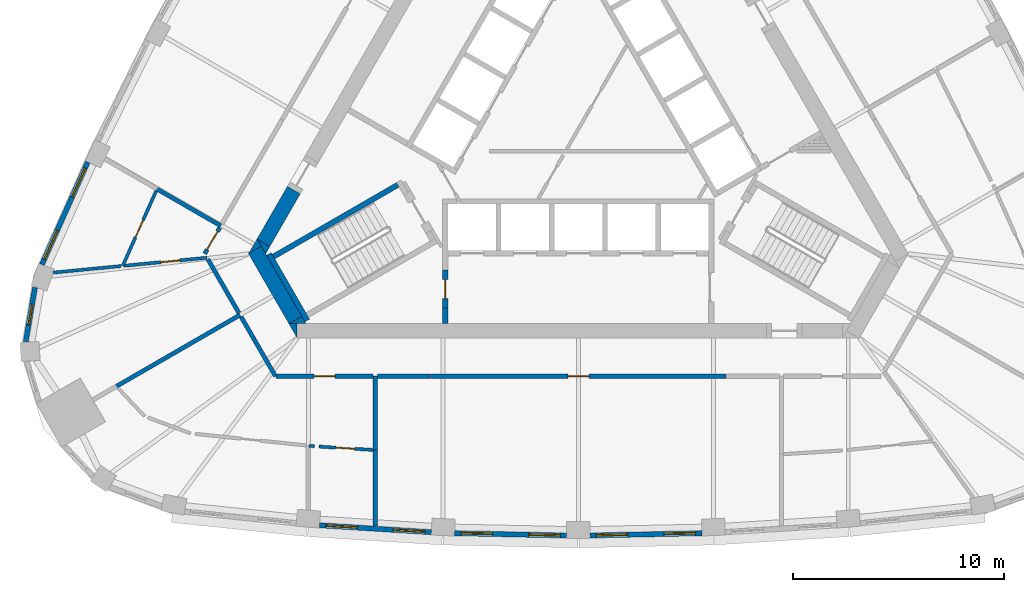
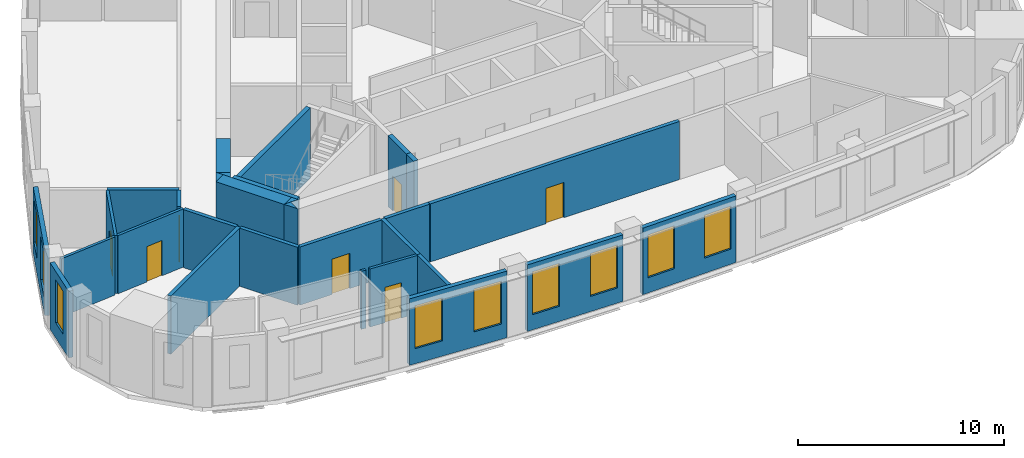
# One storey, part 3 of 10: 30 walls, 9 windows, 7 doors, 16 openings.
"""IFC4 building model written with IfcOpenShell, lengths in metres."""

from ifc_helpers import new_model, si_unit, direction, frame, frame_2d, origin, place, context, subcontext, project, spatial, polyline, rectangle, outline, extrude, material, layer, layer_set, type_object, element, fill, save


model = new_model("IFC4")

# Units and contexts
model_context = context("Model", 3, precision=1e-05, world=origin(), true_north=direction((0.0, 1.0)))
body_context = subcontext(model_context, "Body", "Model", "MODEL_VIEW")
ifc_project = project(units=[si_unit("LENGTHUNIT", "METRE"), si_unit("AREAUNIT", "SQUARE_METRE"), si_unit("VOLUMEUNIT", "CUBIC_METRE"), si_unit("PLANEANGLEUNIT", "RADIAN"), si_unit("MASSUNIT", "GRAM", prefix="KILO")], contexts=[model_context])

# Site, building, storey
site_placement = place(None, origin())
site = spatial("IfcSite", under=ifc_project, at=site_placement, CompositionType="ELEMENT")
building_placement = place(site_placement, origin())
building = spatial("IfcBuilding", under=site, at=building_placement, Name="Mestral Congress Tower", CompositionType="ELEMENT")
storey_placement = place(building_placement, frame((0.0, 0.0, 247.800048828125)))
storey = spatial("IfcBuildingStorey", under=building, at=storey_placement, Name="L58", CompositionType="ELEMENT", Elevation=247.800048828125)

# Walls
ifc_material_1 = material(Name="Concrete C60/75", Category="concrete")
ifc_layer_1 = layer(ifc_material_1, 0.699951171875)
ifc_layer_set_1 = layer_set([ifc_layer_1], Name="Concrete C60/75")
wall_type_1 = type_object("IfcWallType", Name="Core wall RC 700", PredefinedType="SOLIDWALL", material=ifc_layer_set_1)
placement = place(storey_placement, origin())
element("IfcWall", 1, at=placement, inside=storey, type_object=wall_type_1, Name="L58 core wall", PredefinedType="SOLIDWALL", context=body_context, shape_type="SweptSolid", body=[
    extrude(outline(polyline([(-13.7119140625, -9.64990234375), (-13.323974609375, -9.64990234375), (-13.323974609375, -10.322021484375), (-13.7119140625, -9.64990234375)])), origin(), (0.0, 0.0, 1.0), 4.199951171875),
])
wall_2_placement = place(storey_placement, frame((-13.40185546875, -9.4873046875, 0.0), z_axis=(0.0, 0.0, 1.0), x_axis=(-0.500020498207, 0.866013568815, 0.0)))
element("IfcWall", 2, at=wall_2_placement, inside=storey, type_object=wall_type_1, Name="L58 core wall", PredefinedType="SOLIDWALL", context=body_context, shape_type="SweptSolid", body=[
    extrude(rectangle(XDim=3.828857421875, YDim=0.699951171875, at=frame_2d((1.91455078125, 0.0))), origin(), (0.0, 0.0, 1.0), 4.199951171875),
])
element("IfcWall", 3, at=placement, inside=storey, type_object=wall_type_1, Name="L58 core wall", PredefinedType="SOLIDWALL", context=body_context, shape_type="SweptSolid", body=[
    extrude(outline(polyline([(-15.01416015625, -5.99462890625), (-15.611083984375, -6.33935546875), (-15.213134765625, -5.64990234375), (-15.01416015625, -5.99462890625)])), origin(), (0.0, 0.0, 1.0), 4.199951171875),
])
element("IfcWall", 4, at=placement, inside=storey, type_object=wall_type_1, Name="L58 core wall", PredefinedType="SOLIDWALL", context=body_context, shape_type="SweptSolid", body=[
    extrude(outline(polyline([(-12.90380859375, -9.64990234375), (-13.6796875, -9.64990234375), (-13.097900390625, -9.31396484375), (-12.90380859375, -9.64990234375)])), origin(), (0.0, 0.0, 1.0), 4.199951171875),
])
wall_5_placement = place(storey_placement, frame((-13.474853515625, -3.33935546875, 0.0), z_axis=(0.0, 0.0, 1.0), x_axis=(-0.500008214683, -0.866020660983, 0.0)))
element("IfcWall", 5, at=wall_5_placement, inside=storey, type_object=wall_type_1, Name="L58 core wall", PredefinedType="SOLIDWALL", context=body_context, shape_type="SweptSolid", body=[
    extrude(rectangle(XDim=2.88427734375, YDim=0.699951171875, at=frame_2d((1.442138671875, 0.0))), origin(), (0.0, 0.0, 1.0), 4.199951171875),
])
element("IfcWall", 6, at=placement, inside=storey, type_object=wall_type_1, Name="L58 core wall", PredefinedType="SOLIDWALL", context=body_context, shape_type="SweptSolid", body=[
    extrude(outline(polyline([(-14.80908203125, -6.35009765625), (-15.197021484375, -5.677978515625), (-14.614990234375, -6.013916015625), (-14.80908203125, -6.35009765625)])), origin(), (0.0, 0.0, 1.0), 4.199951171875),
])

# Wall, openings, windows
ifc_material_2 = material(Name="Precast concrete C40/50 with limestone facing", Category="masonry")
ifc_layer_2 = layer(ifc_material_2, 0.239990234375)
ifc_layer_set_2 = layer_set([ifc_layer_2], Name="Precast concrete C40/50 with limestone facing")
wall_type_2 = type_object("IfcWallType", Name="Facade stone wall 240", PredefinedType="SOLIDWALL", material=ifc_layer_set_2)
wall_7_placement = place(storey_placement, frame((-12.253173828125, -19.21337890625, 0.0), z_axis=(0.0, 0.0, 1.0), x_axis=(0.9980633213, -0.062206162685, 0.0)))
wall_7 = element("IfcWall", 7, at=wall_7_placement, inside=storey, type_object=wall_type_2, Name="Facade wall F0-01", PredefinedType="SOLIDWALL", context=body_context, shape_type="SweptSolid", body=[
    extrude(rectangle(XDim=5.29833984375, YDim=0.239990234375, at=frame_2d((2.649169921875, 0.0))), origin(), (0.0, 0.0, 1.0), 3.949951171875),
])
opening_1_placement = place(wall_7_placement, frame((0.29443359375, 0.0, 0.89990234375)))
opening_1 = element("IfcOpeningElement", 8, at=opening_1_placement, cuts=wall_7, Name="Opening W4", PredefinedType="OPENING", context=body_context, shape_type="SweptSolid", body=[
    extrude(rectangle(XDim=1.5, YDim=2.550048828125, at=frame_2d((0.75, 1.27490234375))), frame((0.0, 0.1298828125, 0.0), z_axis=(0.0, -1.0, 0.0), x_axis=(1.0, 0.0, 0.0)), (0.0, 0.0, 1.0), 0.260009765625),
])
opening_2_placement = place(wall_7_placement, frame((3.503662109375, 0.0, 0.89990234375)))
opening_2 = element("IfcOpeningElement", 9, at=opening_2_placement, cuts=wall_7, Name="Opening W4", PredefinedType="OPENING", context=body_context, shape_type="SweptSolid", body=[
    extrude(rectangle(XDim=1.5, YDim=2.550048828125, at=frame_2d((0.75, 1.27490234375))), frame((0.0, 0.1298828125, 0.0), z_axis=(0.0, -1.0, 0.0), x_axis=(1.0, 0.0, 0.0)), (0.0, 0.0, 1.0), 0.260009765625),
])
ifc_material_3 = material(Name="Clear low-emissivity double glazing", Category="glass")
window_type_1 = type_object("IfcWindowType", Name="Facade punched window 1500 x 2550 sill 900", PartitioningType="SINGLE_PANEL", PredefinedType="WINDOW", material=ifc_material_3)
window_1_placement = place(opening_1_placement, origin())
window_1 = element("IfcWindow", 10, at=window_1_placement, inside=storey, type_object=window_type_1, Name="Window F0-01a", OverallHeight=2.550048828125, OverallWidth=1.5, PartitioningType="SINGLE_PANEL", PredefinedType="WINDOW", context=body_context, shape_type="SweptSolid", body=[
    extrude(rectangle(XDim=1.5, YDim=2.550048828125, at=frame_2d((0.75, 1.27490234375))), frame((0.0, 0.0400390625, 0.0), z_axis=(0.0, -1.0, 0.0), x_axis=(1.0, 0.0, 0.0)), (0.0, 0.0, 1.0), 0.06005859375),
])
fill(opening_1, window_1)
window_2_placement = place(opening_2_placement, origin())
window_2 = element("IfcWindow", 11, at=window_2_placement, inside=storey, type_object=window_type_1, Name="Window F0-01b", OverallHeight=2.550048828125, OverallWidth=1.5, PartitioningType="SINGLE_PANEL", PredefinedType="WINDOW", context=body_context, shape_type="SweptSolid", body=[
    extrude(rectangle(XDim=1.5, YDim=2.550048828125, at=frame_2d((0.75, 1.27490234375))), frame((0.0, 0.0400390625, 0.0), z_axis=(0.0, -1.0, 0.0), x_axis=(1.0, 0.0, 0.0)), (0.0, 0.0, 1.0), 0.06005859375),
])
fill(opening_2, window_2)

wall_8_placement = place(storey_placement, frame((-5.853515625, -19.589111328125, 0.0), z_axis=(0.0, 0.0, 1.0), x_axis=(0.999784035184, -0.020781794712, 0.0)))
wall_8 = element("IfcWall", 12, at=wall_8_placement, inside=storey, type_object=wall_type_2, Name="Facade wall F0-02", PredefinedType="SOLIDWALL", context=body_context, shape_type="SweptSolid", body=[
    extrude(rectangle(XDim=5.29833984375, YDim=0.239990234375, at=frame_2d((2.649169921875, 0.0))), origin(), (0.0, 0.0, 1.0), 3.949951171875),
])
opening_3_placement = place(wall_8_placement, frame((0.29443359375, 0.0, 0.89990234375)))
opening_3 = element("IfcOpeningElement", 13, at=opening_3_placement, cuts=wall_8, Name="Opening W4", PredefinedType="OPENING", context=body_context, shape_type="SweptSolid", body=[
    extrude(rectangle(XDim=1.5, YDim=2.550048828125, at=frame_2d((0.75, 1.27490234375))), frame((0.0, 0.1298828125, 0.0), z_axis=(0.0, -1.0, 0.0), x_axis=(1.0, 0.0, 0.0)), (0.0, 0.0, 1.0), 0.260009765625),
])
opening_4_placement = place(wall_8_placement, frame((3.503662109375, 0.0, 0.89990234375)))
opening_4 = element("IfcOpeningElement", 14, at=opening_4_placement, cuts=wall_8, Name="Opening W4", PredefinedType="OPENING", context=body_context, shape_type="SweptSolid", body=[
    extrude(rectangle(XDim=1.5, YDim=2.550048828125, at=frame_2d((0.75, 1.27490234375))), frame((0.0, 0.1298828125, 0.0), z_axis=(0.0, -1.0, 0.0), x_axis=(1.0, 0.0, 0.0)), (0.0, 0.0, 1.0), 0.260009765625),
])
window_3_placement = place(opening_3_placement, origin())
window_3 = element("IfcWindow", 15, at=window_3_placement, inside=storey, type_object=window_type_1, Name="Window F0-02a", OverallHeight=2.550048828125, OverallWidth=1.5, PartitioningType="SINGLE_PANEL", PredefinedType="WINDOW", context=body_context, shape_type="SweptSolid", body=[
    extrude(rectangle(XDim=1.5, YDim=2.550048828125, at=frame_2d((0.75, 1.27490234375))), frame((0.0, 0.0400390625, 0.0), z_axis=(0.0, -1.0, 0.0), x_axis=(1.0, 0.0, 0.0)), (0.0, 0.0, 1.0), 0.06005859375),
])
fill(opening_3, window_3)
window_4_placement = place(opening_4_placement, origin())
window_4 = element("IfcWindow", 16, at=window_4_placement, inside=storey, type_object=window_type_1, Name="Window F0-02b", OverallHeight=2.550048828125, OverallWidth=1.5, PartitioningType="SINGLE_PANEL", PredefinedType="WINDOW", context=body_context, shape_type="SweptSolid", body=[
    extrude(rectangle(XDim=1.5, YDim=2.550048828125, at=frame_2d((0.75, 1.27490234375))), frame((0.0, 0.0400390625, 0.0), z_axis=(0.0, -1.0, 0.0), x_axis=(1.0, 0.0, 0.0)), (0.0, 0.0, 1.0), 0.06005859375),
])
fill(opening_4, window_4)

wall_9_placement = place(storey_placement, frame((0.556396484375, -19.69921875, 0.0), z_axis=(0.0, 0.0, 1.0), x_axis=(0.999784035184, 0.020781794712, 0.0)))
wall_9 = element("IfcWall", 17, at=wall_9_placement, inside=storey, type_object=wall_type_2, Name="Facade wall F0-03", PredefinedType="SOLIDWALL", context=body_context, shape_type="SweptSolid", body=[
    extrude(rectangle(XDim=5.29833984375, YDim=0.239990234375, at=frame_2d((2.649169921875, 0.0))), origin(), (0.0, 0.0, 1.0), 3.949951171875),
])
opening_5_placement = place(wall_9_placement, frame((0.29443359375, 0.0, 0.89990234375)))
opening_5 = element("IfcOpeningElement", 18, at=opening_5_placement, cuts=wall_9, Name="Opening W4", PredefinedType="OPENING", context=body_context, shape_type="SweptSolid", body=[
    extrude(rectangle(XDim=1.5, YDim=2.550048828125, at=frame_2d((0.75, 1.27490234375))), frame((0.0, 0.1298828125, 0.0), z_axis=(0.0, -1.0, 0.0), x_axis=(1.0, 0.0, 0.0)), (0.0, 0.0, 1.0), 0.260009765625),
])
opening_6_placement = place(wall_9_placement, frame((3.503662109375, 0.0, 0.89990234375)))
opening_6 = element("IfcOpeningElement", 19, at=opening_6_placement, cuts=wall_9, Name="Opening W4", PredefinedType="OPENING", context=body_context, shape_type="SweptSolid", body=[
    extrude(rectangle(XDim=1.5, YDim=2.550048828125, at=frame_2d((0.75, 1.27490234375))), frame((0.0, 0.1298828125, 0.0), z_axis=(0.0, -1.0, 0.0), x_axis=(1.0, 0.0, 0.0)), (0.0, 0.0, 1.0), 0.260009765625),
])
window_5_placement = place(opening_5_placement, origin())
window_5 = element("IfcWindow", 20, at=window_5_placement, inside=storey, type_object=window_type_1, Name="Window F0-03a", OverallHeight=2.550048828125, OverallWidth=1.5, PartitioningType="SINGLE_PANEL", PredefinedType="WINDOW", context=body_context, shape_type="SweptSolid", body=[
    extrude(rectangle(XDim=1.5, YDim=2.550048828125, at=frame_2d((0.75, 1.27490234375))), frame((0.0, 0.0400390625, 0.0), z_axis=(0.0, -1.0, 0.0), x_axis=(1.0, 0.0, 0.0)), (0.0, 0.0, 1.0), 0.06005859375),
])
fill(opening_5, window_5)
window_6_placement = place(opening_6_placement, origin())
window_6 = element("IfcWindow", 21, at=window_6_placement, inside=storey, type_object=window_type_1, Name="Window F0-03b", OverallHeight=2.550048828125, OverallWidth=1.5, PartitioningType="SINGLE_PANEL", PredefinedType="WINDOW", context=body_context, shape_type="SweptSolid", body=[
    extrude(rectangle(XDim=1.5, YDim=2.550048828125, at=frame_2d((0.75, 1.27490234375))), frame((0.0, 0.0400390625, 0.0), z_axis=(0.0, -1.0, 0.0), x_axis=(1.0, 0.0, 0.0)), (0.0, 0.0, 1.0), 0.06005859375),
])
fill(opening_6, window_6)

wall_10_placement = place(storey_placement, frame((-23.240478515625, -2.01123046875, 0.0), z_axis=(0.0, 0.0, 1.0), x_axis=(-0.407579651789, -0.913169659728, 0.0)))
wall_10 = element("IfcWall", 22, at=wall_10_placement, inside=storey, type_object=wall_type_2, Name="Facade wall F2-05", PredefinedType="SOLIDWALL", context=body_context, shape_type="SweptSolid", body=[
    extrude(rectangle(XDim=5.310791015625, YDim=0.239990234375, at=frame_2d((2.6552734375, 0.0))), origin(), (0.0, 0.0, 1.0), 3.949951171875),
])
opening_7_placement = place(wall_10_placement, frame((0.306396484375, 0.0, 0.89990234375)))
opening_7 = element("IfcOpeningElement", 23, at=opening_7_placement, cuts=wall_10, Name="Opening W4", PredefinedType="OPENING", context=body_context, shape_type="SweptSolid", body=[
    extrude(rectangle(XDim=1.5, YDim=2.550048828125, at=frame_2d((0.75, 1.27490234375))), frame((0.0, 0.1298828125, 0.0), z_axis=(0.0, -1.0, 0.0), x_axis=(1.0, 0.0, 0.0)), (0.0, 0.0, 1.0), 0.260009765625),
])
opening_8_placement = place(wall_10_placement, frame((3.539306640625, 0.0, 0.89990234375)))
opening_8 = element("IfcOpeningElement", 24, at=opening_8_placement, cuts=wall_10, Name="Opening W4", PredefinedType="OPENING", context=body_context, shape_type="SweptSolid", body=[
    extrude(rectangle(XDim=1.5, YDim=2.550048828125, at=frame_2d((0.75, 1.27490234375))), frame((0.0, 0.1298828125, 0.0), z_axis=(0.0, -1.0, 0.0), x_axis=(1.0, 0.0, 0.0)), (0.0, 0.0, 1.0), 0.260009765625),
])
window_7_placement = place(opening_7_placement, origin())
window_7 = element("IfcWindow", 25, at=window_7_placement, inside=storey, type_object=window_type_1, Name="Window F2-05a", OverallHeight=2.550048828125, OverallWidth=1.5, PartitioningType="SINGLE_PANEL", PredefinedType="WINDOW", context=body_context, shape_type="SweptSolid", body=[
    extrude(rectangle(XDim=1.5, YDim=2.550048828125, at=frame_2d((0.75, 1.27490234375))), frame((0.0, 0.0400390625, 0.0), z_axis=(0.0, -1.0, 0.0), x_axis=(1.0, 0.0, 0.0)), (0.0, 0.0, 1.0), 0.06005859375),
])
fill(opening_7, window_7)
window_8_placement = place(opening_8_placement, origin())
window_8 = element("IfcWindow", 26, at=window_8_placement, inside=storey, type_object=window_type_1, Name="Window F2-05b", OverallHeight=2.550048828125, OverallWidth=1.5, PartitioningType="SINGLE_PANEL", PredefinedType="WINDOW", context=body_context, shape_type="SweptSolid", body=[
    extrude(rectangle(XDim=1.5, YDim=2.550048828125, at=frame_2d((0.75, 1.27490234375))), frame((0.0, 0.0400390625, 0.0), z_axis=(0.0, -1.0, 0.0), x_axis=(1.0, 0.0, 0.0)), (0.0, 0.0, 1.0), 0.06005859375),
])
fill(opening_8, window_8)

# Wall, opening, window
wall_11_placement = place(storey_placement, frame((-25.734130859375, -7.94482421875, 0.0), z_axis=(0.0, 0.0, 1.0), x_axis=(-0.167660055546, -0.985844869021, 0.0)))
wall_11 = element("IfcWall", 27, at=wall_11_placement, inside=storey, type_object=wall_type_2, Name="Facade wall K2-0", PredefinedType="SOLIDWALL", context=body_context, shape_type="SweptSolid", body=[
    extrude(rectangle(XDim=2.609375, YDim=0.239990234375, at=frame_2d((1.3046875, 0.0))), origin(), (0.0, 0.0, 1.0), 3.949951171875),
])
opening_9_placement = place(wall_11_placement, frame((0.8046875, 0.0, 0.89990234375)))
opening_9 = element("IfcOpeningElement", 28, at=opening_9_placement, cuts=wall_11, Name="Opening W5", PredefinedType="OPENING", context=body_context, shape_type="SweptSolid", body=[
    extrude(rectangle(XDim=1.0, YDim=2.550048828125, at=frame_2d((0.5, 1.27490234375))), frame((0.0, 0.1298828125, 0.0), z_axis=(0.0, -1.0, 0.0), x_axis=(1.0, 0.0, 0.0)), (0.0, 0.0, 1.0), 0.260009765625),
])
window_type_2 = type_object("IfcWindowType", Name="Facade punched window 1000 x 2550 sill 900", PartitioningType="SINGLE_PANEL", PredefinedType="WINDOW", material=ifc_material_3)
window_9_placement = place(opening_9_placement, origin())
window_9 = element("IfcWindow", 29, at=window_9_placement, inside=storey, type_object=window_type_2, Name="Window K2-0", OverallHeight=2.550048828125, OverallWidth=1.0, PartitioningType="SINGLE_PANEL", PredefinedType="WINDOW", context=body_context, shape_type="SweptSolid", body=[
    extrude(rectangle(XDim=1.0, YDim=2.550048828125, at=frame_2d((0.5, 1.27490234375))), frame((0.0, 0.0400390625, 0.0), z_axis=(0.0, -1.0, 0.0), x_axis=(1.0, 0.0, 0.0)), (0.0, 0.0, 1.0), 0.06005859375),
])
fill(opening_9, window_9)

# Wall, opening, door
ifc_material_4 = material(Name="Plasterboard partition on steel studs", Category="steel")
ifc_layer_3 = layer(ifc_material_4, 0.14990234375)
ifc_layer_set_3 = layer_set([ifc_layer_3], Name="Plasterboard partition on steel studs")
wall_type_3 = type_object("IfcWallType", Name="Office partition 150", PredefinedType="PARTITIONING", material=ifc_layer_set_3)
wall_12_placement = place(storey_placement, frame((-21.57958984375, -6.926513671875, 0.0), z_axis=(0.0, 0.0, 1.0), x_axis=(0.407612492408, 0.913155001099, 0.0)))
wall_12 = element("IfcWall", 30, at=wall_12_placement, inside=storey, type_object=wall_type_3, Name="Partition", PredefinedType="PARTITIONING", context=body_context, shape_type="SweptSolid", body=[
    extrude(rectangle(XDim=3.88671875, YDim=0.14990234375, at=frame_2d((1.943359375, 0.0))), origin(), (0.0, 0.0, 1.0), 3.449951171875),
])
opening_10_placement = place(wall_12_placement, frame((1.486572265625, 0.0, 0.0)))
opening_10 = element("IfcOpeningElement", 31, at=opening_10_placement, cuts=wall_12, Name="Opening O09-016", PredefinedType="OPENING", context=body_context, shape_type="SweptSolid", body=[
    extrude(rectangle(XDim=0.89990234375, YDim=2.10009765625, at=frame_2d((0.449951171875, 1.050048828125))), frame((0.0, 0.0849609375, 0.0), z_axis=(0.0, -1.0, 0.0), x_axis=(1.0, 0.0, 0.0)), (0.0, 0.0, 1.0), 0.169921875),
])
ifc_material_5 = material(Name="Timber door set", Category="wood")
door_type_1 = type_object("IfcDoorType", Name="Office door 900x2100", OperationType="SINGLE_SWING_LEFT", PredefinedType="DOOR", material=ifc_material_5)
door_1_placement = place(opening_10_placement, origin())
door_1 = element("IfcDoor", 32, at=door_1_placement, inside=storey, type_object=door_type_1, Name="Door O09-016", OperationType="SINGLE_SWING_LEFT", OverallHeight=2.10009765625, OverallWidth=0.89990234375, PredefinedType="DOOR", context=body_context, shape_type="SweptSolid", body=[
    extrude(rectangle(XDim=0.89990234375, YDim=2.10009765625, at=frame_2d((0.449951171875, 1.050048828125))), frame((0.0, 0.02490234375, 0.0), z_axis=(0.0, -1.0, 0.0), x_axis=(1.0, 0.0, 0.0)), (0.0, 0.0, 1.0), 0.050048828125),
])
fill(opening_10, door_1)

# Wall
wall_13_placement = place(storey_placement, frame((-21.66552734375, -6.934814453125, 0.0), z_axis=(0.0, 0.0, 1.0), x_axis=(-0.995359155707, -0.096229679155, 0.0)))
element("IfcWall", 33, at=wall_13_placement, inside=storey, type_object=wall_type_3, Name="Partition", PredefinedType="PARTITIONING", context=body_context, shape_type="SweptSolid", body=[
    extrude(rectangle(XDim=3.219482421875, YDim=0.14990234375, at=frame_2d((1.60986328125, 0.0))), origin(), (0.0, 0.0, 1.0), 3.449951171875),
])

# Wall, opening, door
wall_14_placement = place(storey_placement, frame((-17.5859375, -6.540283203125, 0.0), z_axis=(0.0, 0.0, 1.0), x_axis=(-0.995356357863, -0.096258614479, 0.0)))
wall_14 = element("IfcWall", 34, at=wall_14_placement, inside=storey, type_object=wall_type_3, Name="Partition", PredefinedType="PARTITIONING", context=body_context, shape_type="SweptSolid", body=[
    extrude(rectangle(XDim=3.92626953125, YDim=0.14990234375, at=frame_2d((1.963134765625, 0.0))), origin(), (0.0, 0.0, 1.0), 3.449951171875),
])
opening_11_placement = place(wall_14_placement, frame((1.300048828125, 0.0, 0.0)))
opening_11 = element("IfcOpeningElement", 35, at=opening_11_placement, cuts=wall_14, Name="Opening O09-018", PredefinedType="OPENING", context=body_context, shape_type="SweptSolid", body=[
    extrude(rectangle(XDim=0.89990234375, YDim=2.10009765625, at=frame_2d((0.449951171875, 1.050048828125))), frame((0.0, 0.0849609375, 0.0), z_axis=(0.0, -1.0, 0.0), x_axis=(1.0, 0.0, 0.0)), (0.0, 0.0, 1.0), 0.169921875),
])
door_2_placement = place(opening_11_placement, origin())
door_2 = element("IfcDoor", 36, at=door_2_placement, inside=storey, type_object=door_type_1, Name="Door O09-018", OperationType="SINGLE_SWING_LEFT", OverallHeight=2.10009765625, OverallWidth=0.89990234375, PredefinedType="DOOR", context=body_context, shape_type="SweptSolid", body=[
    extrude(rectangle(XDim=0.89990234375, YDim=2.10009765625, at=frame_2d((0.449951171875, 1.050048828125))), frame((0.0, 0.02490234375, 0.0), z_axis=(0.0, -1.0, 0.0), x_axis=(1.0, 0.0, 0.0)), (0.0, 0.0, 1.0), 0.050048828125),
])
fill(opening_11, door_2)

# Wall
wall_15_placement = place(storey_placement, frame((-12.74755859375, -15.445068359375, 0.0), z_axis=(0.0, 0.0, 1.0), x_axis=(0.99468140225, -0.102999553487, 0.0)))
element("IfcWall", 37, at=wall_15_placement, inside=storey, type_object=wall_type_3, Name="Partition", PredefinedType="PARTITIONING", context=body_context, shape_type="SweptSolid", body=[
    extrude(rectangle(XDim=0.248779296875, YDim=0.14990234375, at=frame_2d((0.12451171875, 0.0))), origin(), (0.0, 0.0, 1.0), 3.449951171875),
])

# Wall, opening, door
wall_16_placement = place(storey_placement, frame((-9.7197265625, -15.64404296875, 0.0), z_axis=(0.0, 0.0, 1.0), x_axis=(-0.998064382534, 0.062189133425, 0.0)))
wall_16 = element("IfcWall", 38, at=wall_16_placement, inside=storey, type_object=wall_type_3, Name="Partition", PredefinedType="PARTITIONING", context=body_context, shape_type="SweptSolid", body=[
    extrude(rectangle(XDim=2.5712890625, YDim=0.14990234375, at=frame_2d((1.28564453125, 0.0))), origin(), (0.0, 0.0, 1.0), 3.449951171875),
])
opening_12_placement = place(wall_16_placement, frame((0.871337890625, 0.0, 0.0)))
opening_12 = element("IfcOpeningElement", 39, at=opening_12_placement, cuts=wall_16, Name="Opening O09-020", PredefinedType="OPENING", context=body_context, shape_type="SweptSolid", body=[
    extrude(rectangle(XDim=0.89990234375, YDim=2.10009765625, at=frame_2d((0.449951171875, 1.050048828125))), frame((0.0, 0.0849609375, 0.0), z_axis=(0.0, -1.0, 0.0), x_axis=(1.0, 0.0, 0.0)), (0.0, 0.0, 1.0), 0.169921875),
])
door_3_placement = place(opening_12_placement, origin())
door_3 = element("IfcDoor", 40, at=door_3_placement, inside=storey, type_object=door_type_1, Name="Door O09-020", OperationType="SINGLE_SWING_RIGHT", OverallHeight=2.10009765625, OverallWidth=0.89990234375, PredefinedType="DOOR", context=body_context, shape_type="SweptSolid", body=[
    extrude(rectangle(XDim=0.89990234375, YDim=2.10009765625, at=frame_2d((0.449951171875, 1.050048828125))), frame((0.0, 0.02490234375, 0.0), z_axis=(0.0, -1.0, 0.0), x_axis=(1.0, 0.0, 0.0)), (0.0, 0.0, 1.0), 0.050048828125),
])
fill(opening_12, door_3)

# Walls
ifc_material_6 = material(Name="Dense masonry wall, plastered", Category="masonry")
ifc_layer_4 = layer(ifc_material_6, 0.199951171875)
ifc_layer_set_4 = layer_set([ifc_layer_4], Name="Dense masonry wall, plastered")
wall_type_4 = type_object("IfcWallType", Name="Office tenancy wall 200", PredefinedType="PARTITIONING", material=ifc_layer_set_4)
wall_17_placement = place(storey_placement, frame((-9.61962890625, -19.25732421875, 0.0), z_axis=(0.0, 0.0, 1.0), x_axis=(0.0, 1.0, 0.0)))
element("IfcWall", 41, at=wall_17_placement, inside=storey, type_object=wall_type_4, Name="Tenancy wall", PredefinedType="PARTITIONING", context=body_context, shape_type="SweptSolid", body=[
    extrude(rectangle(XDim=3.611083984375, YDim=0.199951171875, at=frame_2d((1.8056640625, 0.0))), origin(), (0.0, 0.0, 1.0), 3.449951171875),
])
wall_18_placement = place(storey_placement, frame((-9.61962890625, -15.654296875, 0.0), z_axis=(0.0, 0.0, 1.0), x_axis=(0.0, 1.0, 0.0)))
element("IfcWall", 42, at=wall_18_placement, inside=storey, type_object=wall_type_4, Name="Tenancy wall", PredefinedType="PARTITIONING", context=body_context, shape_type="SweptSolid", body=[
    extrude(rectangle(XDim=3.50439453125, YDim=0.199951171875, at=frame_2d((1.752197265625, 0.0))), origin(), (0.0, 0.0, 1.0), 3.449951171875),
])

# Wall, opening, door
wall_19_placement = place(storey_placement, frame((-7.0, -12.14990234375, 0.0), z_axis=(0.0, 0.0, 1.0), x_axis=(1.0, 0.0, 0.0)))
wall_19 = element("IfcWall", 43, at=wall_19_placement, inside=storey, type_object=wall_type_4, Name="Tenancy wall", PredefinedType="PARTITIONING", context=body_context, shape_type="SweptSolid", body=[
    extrude(rectangle(XDim=14.0, YDim=0.199951171875, at=frame_2d((7.0, 0.0))), origin(), (0.0, 0.0, 1.0), 3.449951171875),
])
opening_13_placement = place(wall_19_placement, frame((6.5, 0.0, 0.0)))
opening_13 = element("IfcOpeningElement", 44, at=opening_13_placement, cuts=wall_19, Name="Opening O09-001", PredefinedType="OPENING", context=body_context, shape_type="SweptSolid", body=[
    extrude(rectangle(XDim=1.0, YDim=2.10009765625, at=frame_2d((0.5, 1.050048828125))), frame((0.0, 0.10986328125, 0.0), z_axis=(0.0, -1.0, 0.0), x_axis=(1.0, 0.0, 0.0)), (0.0, 0.0, 1.0), 0.219970703125),
])
ifc_material_7 = material(Name="Fire-rated timber door set", Category="wood")
door_type_2 = type_object("IfcDoorType", Name="Office tenancy entrance door 1000x2100", OperationType="SINGLE_SWING_LEFT", PredefinedType="DOOR", material=ifc_material_7)
door_4_placement = place(opening_13_placement, origin())
door_4 = element("IfcDoor", 45, at=door_4_placement, inside=storey, type_object=door_type_2, Name="Door O09-001", OperationType="SINGLE_SWING_RIGHT", OverallHeight=2.10009765625, OverallWidth=1.0, PredefinedType="DOOR", context=body_context, shape_type="SweptSolid", body=[
    extrude(rectangle(XDim=1.0, YDim=2.10009765625, at=frame_2d((0.5, 1.050048828125))), frame((0.0, 0.02490234375, 0.0), z_axis=(0.0, -1.0, 0.0), x_axis=(1.0, 0.0, 0.0)), (0.0, 0.0, 1.0), 0.050048828125),
])
fill(opening_13, door_4)

# Walls
wall_20_placement = place(storey_placement, frame((-9.519775390625, -12.14990234375, 0.0), z_axis=(0.0, 0.0, 1.0), x_axis=(1.0, 0.0, 0.0)))
element("IfcWall", 46, at=wall_20_placement, inside=storey, type_object=wall_type_4, Name="Tenancy wall", PredefinedType="PARTITIONING", context=body_context, shape_type="SweptSolid", body=[
    extrude(rectangle(XDim=2.48974609375, YDim=0.199951171875, at=frame_2d((1.244873046875, 0.0))), origin(), (0.0, 0.0, 1.0), 3.449951171875),
])
wall_21_placement = place(storey_placement, frame((-16.93359375, -5.02978515625, 0.0), z_axis=(0.0, 0.0, 1.0), x_axis=(-0.866031916153, 0.499988720078, 0.0)))
element("IfcWall", 47, at=wall_21_placement, inside=storey, type_object=wall_type_4, Name="Tenancy wall", PredefinedType="PARTITIONING", context=body_context, shape_type="SweptSolid", body=[
    extrude(rectangle(XDim=3.4921875, YDim=0.199951171875, at=frame_2d((1.74609375, 0.0))), origin(), (0.0, 0.0, 1.0), 3.449951171875),
])

# Wall, opening, door
wall_22_placement = place(storey_placement, frame((-16.9833984375, -5.1162109375, 0.0), z_axis=(0.0, 0.0, 1.0), x_axis=(-0.500009219579, -0.866020080793, 0.0)))
wall_22 = element("IfcWall", 48, at=wall_22_placement, inside=storey, type_object=wall_type_4, Name="Tenancy wall", PredefinedType="PARTITIONING", context=body_context, shape_type="SweptSolid", body=[
    extrude(rectangle(XDim=1.4248046875, YDim=0.199951171875, at=frame_2d((0.71240234375, 0.0))), origin(), (0.0, 0.0, 1.0), 3.449951171875),
])
opening_14_placement = place(wall_22_placement, frame((0.199951171875, 0.0, 0.0)))
opening_14 = element("IfcOpeningElement", 49, at=opening_14_placement, cuts=wall_22, Name="Opening O09-017", PredefinedType="OPENING", context=body_context, shape_type="SweptSolid", body=[
    extrude(rectangle(XDim=1.0, YDim=2.10009765625, at=frame_2d((0.5, 1.050048828125))), frame((0.0, 0.10986328125, 0.0), z_axis=(0.0, -1.0, 0.0), x_axis=(1.0, 0.0, 0.0)), (0.0, 0.0, 1.0), 0.219970703125),
])
door_5_placement = place(opening_14_placement, origin())
door_5 = element("IfcDoor", 50, at=door_5_placement, inside=storey, type_object=door_type_2, Name="Door O09-017", OperationType="SINGLE_SWING_LEFT", OverallHeight=2.10009765625, OverallWidth=1.0, PredefinedType="DOOR", context=body_context, shape_type="SweptSolid", body=[
    extrude(rectangle(XDim=1.0, YDim=2.10009765625, at=frame_2d((0.5, 1.050048828125))), frame((0.0, 0.02490234375, 0.0), z_axis=(0.0, -1.0, 0.0), x_axis=(1.0, 0.0, 0.0)), (0.0, 0.0, 1.0), 0.050048828125),
])
fill(opening_14, door_5)

# Walls
wall_23_placement = place(storey_placement, frame((-16.021484375, -9.25, 0.0), z_axis=(0.0, 0.0, 1.0), x_axis=(-0.86602692059, -0.499997372806, 0.0)))
element("IfcWall", 51, at=wall_23_placement, inside=storey, type_object=wall_type_4, Name="Tenancy wall", PredefinedType="PARTITIONING", context=body_context, shape_type="SweptSolid", body=[
    extrude(rectangle(XDim=6.7646484375, YDim=0.199951171875, at=frame_2d((3.38232421875, 0.0))), origin(), (0.0, 0.0, 1.0), 3.449951171875),
])
wall_24_placement = place(storey_placement, frame((-17.544677734375, -6.61181640625, 0.0), z_axis=(0.0, 0.0, 1.0), x_axis=(0.500006981563, -0.86602137294, 0.0)))
element("IfcWall", 52, at=wall_24_placement, inside=storey, type_object=wall_type_4, Name="Tenancy wall", PredefinedType="PARTITIONING", context=body_context, shape_type="SweptSolid", body=[
    extrude(rectangle(XDim=2.9462890625, YDim=0.199951171875, at=frame_2d((1.47314453125, 0.0))), origin(), (0.0, 0.0, 1.0), 3.449951171875),
])
wall_25_placement = place(storey_placement, frame((-15.971435546875, -9.336669921875, 0.0), z_axis=(0.0, 0.0, 1.0), x_axis=(0.500010870188, -0.866019127788, 0.0)))
element("IfcWall", 53, at=wall_25_placement, inside=storey, type_object=wall_type_4, Name="Tenancy wall", PredefinedType="PARTITIONING", context=body_context, shape_type="SweptSolid", body=[
    extrude(rectangle(XDim=3.24853515625, YDim=0.199951171875, at=frame_2d((1.624267578125, 0.0))), origin(), (0.0, 0.0, 1.0), 3.449951171875),
])

# Wall, opening, door
wall_26_placement = place(storey_placement, frame((-14.317138671875, -12.14990234375, 0.0), z_axis=(0.0, 0.0, 1.0), x_axis=(1.0, 0.0, 0.0)))
wall_26 = element("IfcWall", 54, at=wall_26_placement, inside=storey, type_object=wall_type_4, Name="Tenancy wall", PredefinedType="PARTITIONING", context=body_context, shape_type="SweptSolid", body=[
    extrude(rectangle(XDim=4.597412109375, YDim=0.199951171875, at=frame_2d((2.298828125, 0.0))), origin(), (0.0, 0.0, 1.0), 3.449951171875),
])
opening_15_placement = place(wall_26_placement, frame((1.800048828125, 0.0, 0.0)))
opening_15 = element("IfcOpeningElement", 55, at=opening_15_placement, cuts=wall_26, Name="Opening O09-021", PredefinedType="OPENING", context=body_context, shape_type="SweptSolid", body=[
    extrude(rectangle(XDim=1.0, YDim=2.10009765625, at=frame_2d((0.5, 1.050048828125))), frame((0.0, 0.10986328125, 0.0), z_axis=(0.0, -1.0, 0.0), x_axis=(1.0, 0.0, 0.0)), (0.0, 0.0, 1.0), 0.219970703125),
])
door_6_placement = place(opening_15_placement, origin())
door_6 = element("IfcDoor", 56, at=door_6_placement, inside=storey, type_object=door_type_2, Name="Door O09-021", OperationType="SINGLE_SWING_RIGHT", OverallHeight=2.10009765625, OverallWidth=1.0, PredefinedType="DOOR", context=body_context, shape_type="SweptSolid", body=[
    extrude(rectangle(XDim=1.0, YDim=2.10009765625, at=frame_2d((0.5, 1.050048828125))), frame((0.0, 0.02490234375, 0.0), z_axis=(0.0, -1.0, 0.0), x_axis=(1.0, 0.0, 0.0)), (0.0, 0.0, 1.0), 0.050048828125),
])
fill(opening_15, door_6)

# Wall
ifc_layer_5 = layer(ifc_material_1, 0.25)
ifc_layer_set_5 = layer_set([ifc_layer_5], Name="Concrete C60/75")
wall_type_5 = type_object("IfcWallType", Name="Shaft wall RC 250", PredefinedType="SOLIDWALL", material=ifc_layer_set_5)
wall_27_placement = place(storey_placement, frame((-6.300048828125, -8.9248046875, 0.0), z_axis=(0.0, 0.0, 1.0), x_axis=(0.0, -1.0, 0.0)))
element("IfcWall", 57, at=wall_27_placement, inside=storey, type_object=wall_type_5, Name="L58 core wall", PredefinedType="SOLIDWALL", context=body_context, shape_type="SweptSolid", body=[
    extrude(rectangle(XDim=0.72509765625, YDim=0.25, at=frame_2d((0.362548828125, 0.0))), origin(), (0.0, 0.0, 1.0), 4.199951171875),
])

# Wall, opening, door
wall_28_placement = place(storey_placement, frame((-6.300048828125, -7.12451171875, 0.0), z_axis=(0.0, 0.0, 1.0), x_axis=(0.0, -1.0, 0.0)))
wall_28 = element("IfcWall", 58, at=wall_28_placement, inside=storey, type_object=wall_type_5, Name="L58 door wall", PredefinedType="SOLIDWALL", context=body_context, shape_type="SweptSolid", body=[
    extrude(rectangle(XDim=1.800048828125, YDim=0.25, at=frame_2d((0.89990234375, 0.0))), origin(), (0.0, 0.0, 1.0), 4.199951171875),
])
opening_16_placement = place(wall_28_placement, frame((0.449951171875, 0.0, 0.0)))
opening_16 = element("IfcOpeningElement", 59, at=opening_16_placement, cuts=wall_28, Name="Opening TD3", PredefinedType="OPENING", context=body_context, shape_type="SweptSolid", body=[
    extrude(rectangle(XDim=0.89990234375, YDim=2.10009765625, at=frame_2d((0.449951171875, 1.050048828125))), frame((0.0, 0.135009765625, 0.0), z_axis=(0.0, -1.0, 0.0), x_axis=(1.0, 0.0, 0.0)), (0.0, 0.0, 1.0), 0.27001953125),
])
ifc_material_8 = material(Name="Fire-rated steel door set", Category="steel")
door_type_3 = type_object("IfcDoorType", Name="Core door SR 900x2100", OperationType="SINGLE_SWING_LEFT", PredefinedType="DOOR", material=ifc_material_8)
door_7_placement = place(opening_16_placement, origin())
door_7 = element("IfcDoor", 60, at=door_7_placement, inside=storey, type_object=door_type_3, Name="Door TD3", OperationType="SINGLE_SWING_LEFT", OverallHeight=2.10009765625, OverallWidth=0.89990234375, PredefinedType="DOOR", context=body_context, shape_type="SweptSolid", body=[
    extrude(rectangle(XDim=0.89990234375, YDim=2.10009765625, at=frame_2d((0.449951171875, 1.050048828125))), frame((0.0, 0.02490234375, 0.0), z_axis=(0.0, -1.0, 0.0), x_axis=(1.0, 0.0, 0.0)), (0.0, 0.0, 1.0), 0.050048828125),
])
fill(opening_16, door_7)

# Walls
ifc_layer_6 = layer(ifc_material_1, 0.25)
ifc_layer_set_6 = layer_set([ifc_layer_6], Name="Concrete C60/75")
wall_type_6 = type_object("IfcWallType", Name="Stair wall RC 250", PredefinedType="SOLIDWALL", material=ifc_layer_set_6)
wall_29_placement = place(storey_placement, frame((-12.839599609375, -9.510986328125, 0.0), z_axis=(0.0, 0.0, 1.0), x_axis=(-0.499997733992, 0.866026712061, 0.0)))
element("IfcWall", 61, at=wall_29_placement, inside=storey, type_object=wall_type_6, Name="L58 core wall", PredefinedType="SOLIDWALL", context=body_context, shape_type="SweptSolid", body=[
    extrude(rectangle(XDim=3.6337890625, YDim=0.25, at=frame_2d((1.81689453125, 0.0))), origin(), (0.0, 0.0, 1.0), 4.199951171875),
])
wall_30_placement = place(storey_placement, frame((-14.43994140625, -6.489501953125, 0.0), z_axis=(0.0, 0.0, 1.0), x_axis=(0.866022966069, 0.500004222222, 0.0)))
element("IfcWall", 62, at=wall_30_placement, inside=storey, type_object=wall_type_6, Name="L58 core wall", PredefinedType="SOLIDWALL", context=body_context, shape_type="SweptSolid", body=[
    extrude(rectangle(XDim=6.80029296875, YDim=0.25, at=frame_2d((3.400146484375, 0.0))), origin(), (0.0, 0.0, 1.0), 4.199951171875),
])

save(model, "model.ifc")
